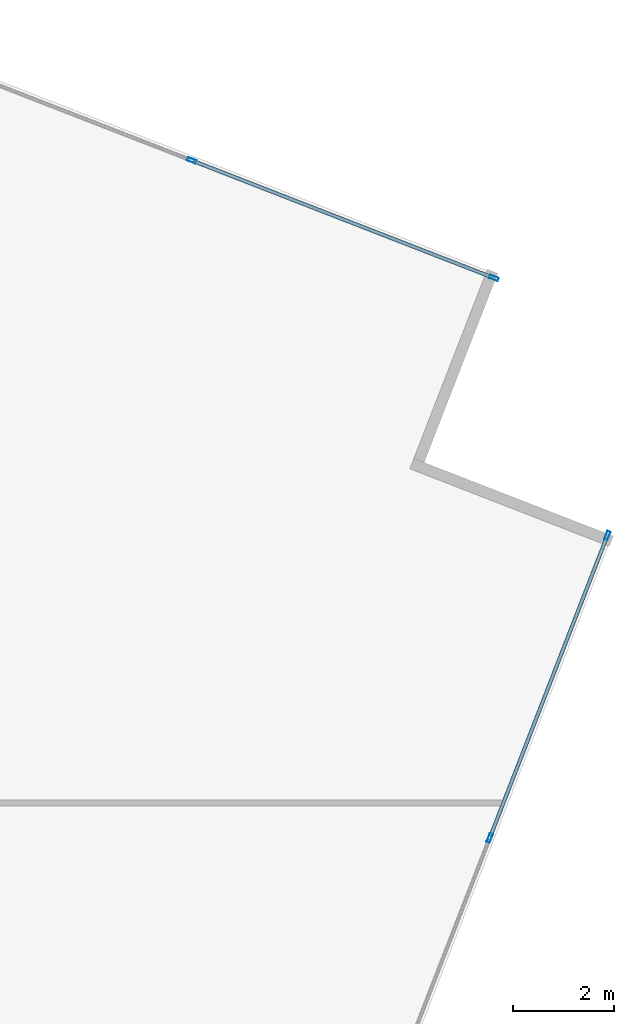
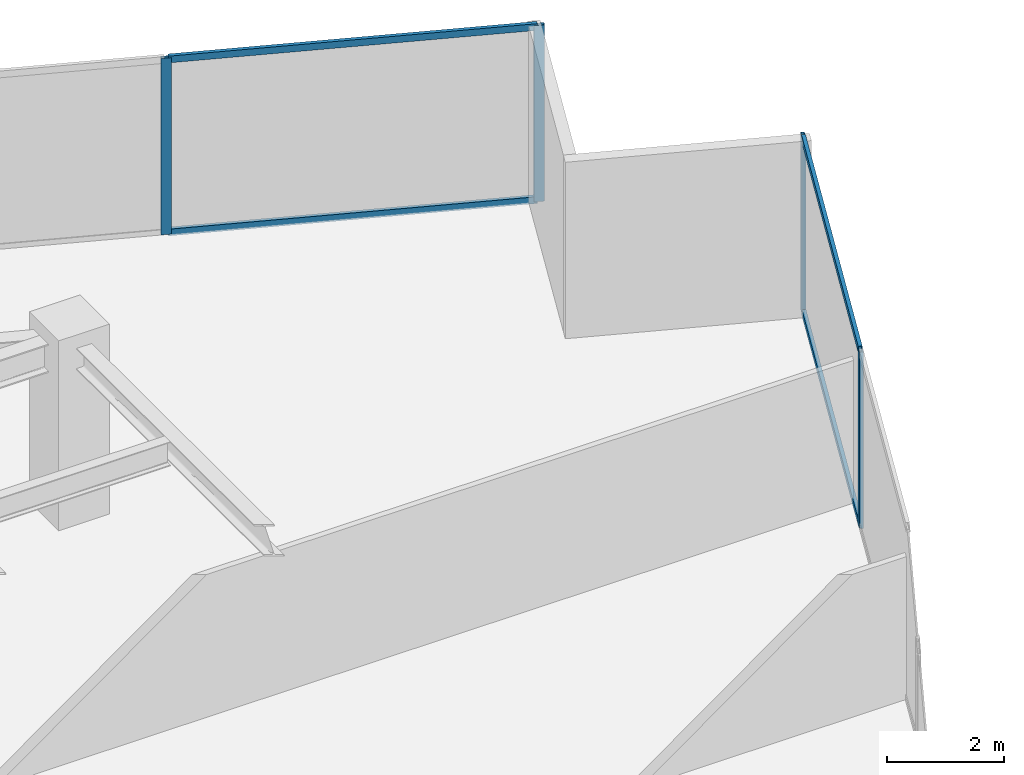
# One storey, part 19 of 26: 8 members, 2 elements without a shape of their own.
"""IFC4 building model written with IfcOpenShell, lengths in metres."""

from ifc_helpers import new_model, si_unit, direction, frame, origin, origin_2d, place, context, subcontext, project, spatial, hollow_rectangle, extrude, source, transform, mapped, material, material_profile, profile_set, type_object, type_shapes, element, aggregate, save


model = new_model("IFC4")

# Units and contexts
model_context = context("Model", 3, precision=1e-05, world=origin(), true_north=direction((0.0, 1.0)))
body_context = subcontext(model_context, "Body", "Model", "MODEL_VIEW")
ifc_project = project(units=[si_unit("LENGTHUNIT", "METRE"), si_unit("AREAUNIT", "SQUARE_METRE"), si_unit("VOLUMEUNIT", "CUBIC_METRE"), si_unit("PLANEANGLEUNIT", "RADIAN"), si_unit("MASSUNIT", "GRAM", prefix="KILO")], contexts=[model_context])

# Site, building, storey
site_placement = place(None, origin())
site = spatial("IfcSite", under=ifc_project, at=site_placement, CompositionType="ELEMENT")
building_placement = place(site_placement, origin())
building = spatial("IfcBuilding", under=site, at=building_placement, Name="Krantzveldt Concourse Tower", CompositionType="ELEMENT")
storey_placement = place(building_placement, frame((0.0, 0.0, 129.550048828125)))
storey = spatial("IfcBuildingStorey", under=building, at=storey_placement, Name="L31", CompositionType="ELEMENT", Elevation=129.550048828125)

# Curtain wall, members
ifc_material = material(Name="Anodised aluminium 6063-T6", Category="aluminium")
curtain_wall_type = type_object("IfcCurtainWallType", Name="CW2", PredefinedType="USERDEFINED", material=ifc_material)
curtain_wall_1_placement = place(storey_placement, origin())
curtain_wall_1 = element("IfcCurtainWall", 1, at=curtain_wall_1_placement, inside=storey, type_object=curtain_wall_type, Name="CW-L31-F11", ObjectType="UNITISED CURTAIN WALL", PredefinedType="USERDEFINED")
ifc_material_profile_1 = material_profile(ifc_material, hollow_rectangle(XDim=0.070068359375, YDim=0.179931640625, WallThickness=0.0048828125, at=origin_2d()), Name="Anodised aluminium 6063-T6", Category="aluminium")
ifc_profile_set_1 = profile_set([ifc_material_profile_1], Name="Anodised aluminium 6063-T6 - ALU-MULL 180x70x5")
member_type_1 = type_object("IfcMemberType", Name="CW-MUL-180", PredefinedType="MULLION", material=ifc_profile_set_1)
shared_shape_1 = source(origin(), body_context, "Body", "SweptSolid", [
    extrude(hollow_rectangle(XDim=0.070068359375, YDim=0.179931640625, WallThickness=0.0048828125, at=origin_2d()), origin(), (0.0, 0.0, 1.0), 3.669921875),
])
type_shapes(member_type_1, [shared_shape_1])
member_1_placement = place(storey_placement, frame((62.41259765625, 30.305419921875, 0.0), z_axis=(0.0, 0.0, 1.0), x_axis=(-0.93200790248, 0.362437952917, 0.0)))
member_1 = element("IfcMember", 2, at=member_1_placement, type_object=member_type_1, Name="CW-Z12 mullion 6", PredefinedType="MULLION", context=body_context, shape_type="MappedRepresentation", body=[
    mapped(shared_shape_1, transform((0.0, 0.0, 0.0), x_axis=(1.0, 0.0, 0.0), y_axis=(0.0, 1.0, 0.0), z_axis=(0.0, 0.0, 1.0), scale=1.0)),
])
member_2_placement = place(storey_placement, frame((64.74365234375, 36.2998046875, 0.0), z_axis=(0.0, 0.0, 1.0), x_axis=(-0.93200790248, 0.362437952917, 0.0)))
member_2 = element("IfcMember", 3, at=member_2_placement, type_object=member_type_1, Name="CW-Z12 mullion 7", PredefinedType="MULLION", context=body_context, shape_type="MappedRepresentation", body=[
    mapped(shared_shape_1, transform((0.0, 0.0, 0.0), x_axis=(1.0, 0.0, 0.0), y_axis=(0.0, 1.0, 0.0), z_axis=(0.0, 0.0, 1.0), scale=1.0)),
])

curtain_wall_2_placement = place(storey_placement, origin())
curtain_wall_2 = element("IfcCurtainWall", 4, at=curtain_wall_2_placement, inside=storey, type_object=curtain_wall_type, Name="CW-L31-F14", ObjectType="UNITISED CURTAIN WALL", PredefinedType="USERDEFINED")
member_3_placement = place(storey_placement, frame((62.496826171875, 41.406494140625, 0.0), z_axis=(0.0, 0.0, 1.0), x_axis=(-0.362437952917, -0.93200790248, 0.0)))
member_3 = element("IfcMember", 5, at=member_3_placement, type_object=member_type_1, Name="CW-Z12 mullion 1", PredefinedType="MULLION", context=body_context, shape_type="MappedRepresentation", body=[
    mapped(shared_shape_1, transform((0.0, 0.0, 0.0), x_axis=(1.0, 0.0, 0.0), y_axis=(0.0, 1.0, 0.0), z_axis=(0.0, 0.0, 1.0), scale=1.0)),
])
member_4_placement = place(storey_placement, frame((56.50244140625, 43.737548828125, 0.0), z_axis=(0.0, 0.0, 1.0), x_axis=(-0.362437952917, -0.93200790248, 0.0)))
member_4 = element("IfcMember", 6, at=member_4_placement, type_object=member_type_1, Name="CW-Z12 mullion 2", PredefinedType="MULLION", context=body_context, shape_type="MappedRepresentation", body=[
    mapped(shared_shape_1, transform((0.0, 0.0, 0.0), x_axis=(1.0, 0.0, 0.0), y_axis=(0.0, 1.0, 0.0), z_axis=(0.0, 0.0, 1.0), scale=1.0)),
])

# Member
ifc_material_profile_2 = material_profile(ifc_material, hollow_rectangle(XDim=0.070068359375, YDim=0.139892578125, WallThickness=0.0048828125, at=origin_2d()), Name="Anodised aluminium 6063-T6", Category="aluminium")
ifc_profile_set_2 = profile_set([ifc_material_profile_2], Name="Anodised aluminium 6063-T6 - ALU-TRAN 140x70x5")
member_type_2 = type_object("IfcMemberType", Name="CW-TRN-150", PredefinedType="USERDEFINED", material=ifc_profile_set_2)
shared_shape_2 = source(origin(), body_context, "Body", "SweptSolid", [
    extrude(hollow_rectangle(XDim=0.070068359375, YDim=0.139892578125, WallThickness=0.0048828125, at=origin_2d()), origin(), (0.0, 0.0, 1.0), 6.36181640625),
])
type_shapes(member_type_2, [shared_shape_2])
member_5_placement = place(storey_placement, frame((62.42529296875, 30.338134765625, 0.034912109375), z_axis=(0.362427741589, 0.932011873383, 0.0), x_axis=(-0.932011873383, 0.362427741589, 0.0)))
member_5 = element("IfcMember", 7, at=member_5_placement, type_object=member_type_2, Name="CW-Z12 transom 6.1", ObjectType="TRANSOM", PredefinedType="USERDEFINED", context=body_context, shape_type="MappedRepresentation", body=[
    mapped(shared_shape_2, transform((0.0, 0.0, 0.0), x_axis=(1.0, 0.0, 0.0), y_axis=(0.0, 1.0, 0.0), z_axis=(0.0, 0.0, 1.0), scale=1.0)),
])

member_6_placement = place(storey_placement, frame((62.42529296875, 30.338134765625, 3.635009765625), z_axis=(0.362427741589, 0.932011873383, 0.0), x_axis=(-0.932011873383, 0.362427741589, 0.0)))
member_6 = element("IfcMember", 8, at=member_6_placement, type_object=member_type_2, Name="CW-Z12 transom 6.2", ObjectType="TRANSOM", PredefinedType="USERDEFINED", context=body_context, shape_type="MappedRepresentation", body=[
    mapped(shared_shape_2, transform((0.0, 0.0, 0.0), x_axis=(1.0, 0.0, 0.0), y_axis=(0.0, 1.0, 0.0), z_axis=(0.0, 0.0, 1.0), scale=1.0)),
])

aggregate(curtain_wall_1, [member_1, member_2, member_5, member_6])

member_7_placement = place(storey_placement, frame((62.464111328125, 41.419189453125, 0.034912109375), z_axis=(-0.932011873383, 0.362427741589, 0.0), x_axis=(-0.362427741589, -0.932011873383, 0.0)))
member_7 = element("IfcMember", 9, at=member_7_placement, type_object=member_type_2, Name="CW-Z12 transom 1.1", ObjectType="TRANSOM", PredefinedType="USERDEFINED", context=body_context, shape_type="MappedRepresentation", body=[
    mapped(shared_shape_2, transform((0.0, 0.0, 0.0), x_axis=(1.0, 0.0, 0.0), y_axis=(0.0, 1.0, 0.0), z_axis=(0.0, 0.0, 1.0), scale=1.0)),
])

member_8_placement = place(storey_placement, frame((62.464111328125, 41.419189453125, 3.635009765625), z_axis=(-0.932011873383, 0.362427741589, 0.0), x_axis=(-0.362427741589, -0.932011873383, 0.0)))
member_8 = element("IfcMember", 10, at=member_8_placement, type_object=member_type_2, Name="CW-Z12 transom 1.2", ObjectType="TRANSOM", PredefinedType="USERDEFINED", context=body_context, shape_type="MappedRepresentation", body=[
    mapped(shared_shape_2, transform((0.0, 0.0, 0.0), x_axis=(1.0, 0.0, 0.0), y_axis=(0.0, 1.0, 0.0), z_axis=(0.0, 0.0, 1.0), scale=1.0)),
])

aggregate(curtain_wall_2, [member_3, member_4, member_7, member_8])

save(model, "model.ifc")
